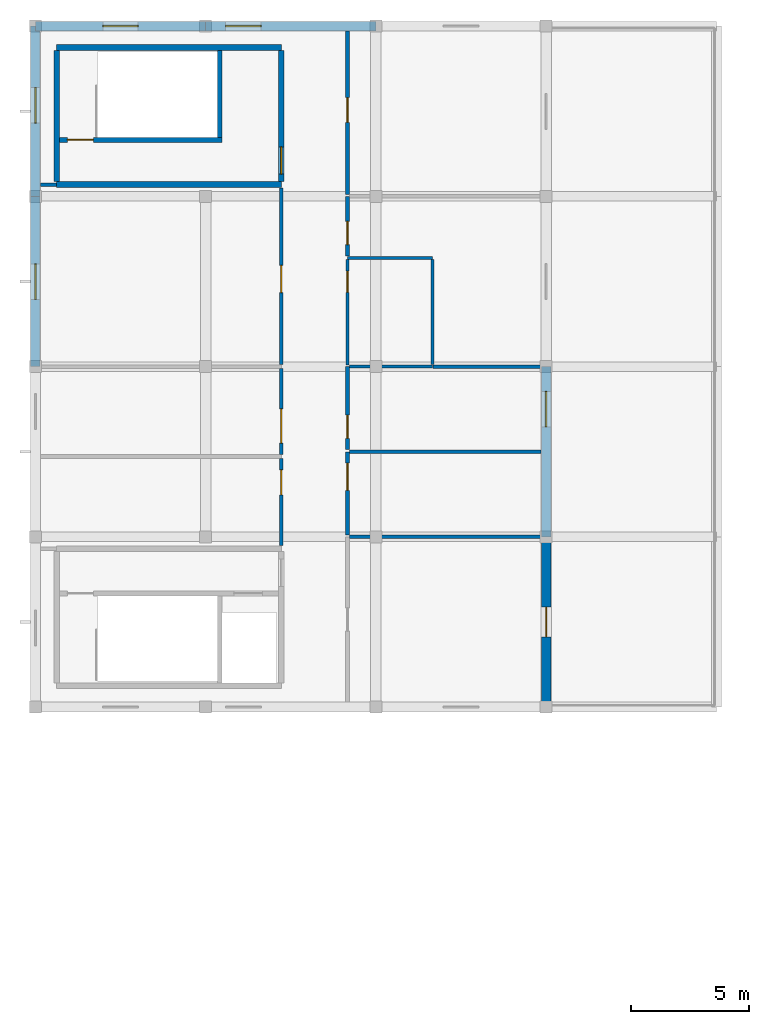
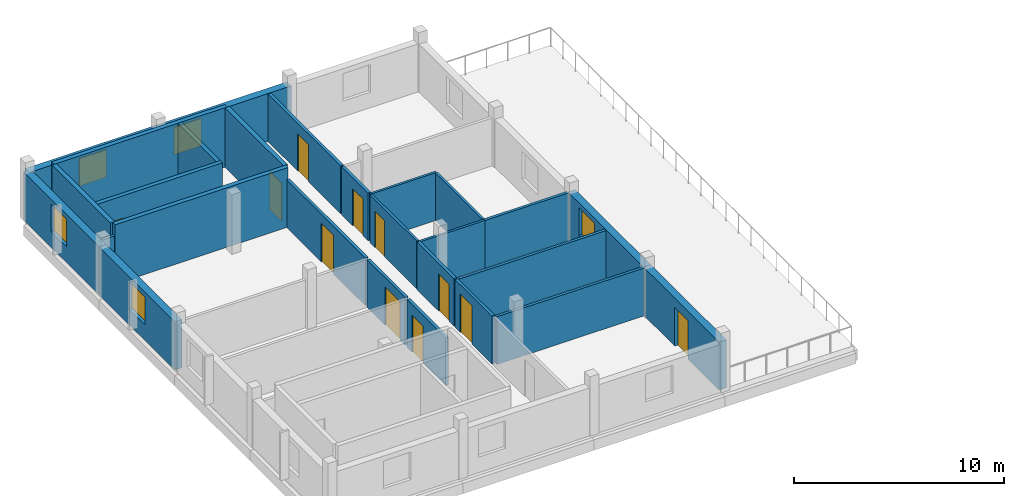
# One storey, part 57 of 66: 27 walls, 11 doors, 5 windows, 16 openings.
"""IFC4 building model written with IfcOpenShell, lengths in metres."""

from ifc_helpers import new_model, si_unit, direction, frame, frame_2d, origin, place, context, subcontext, project, spatial, rectangle, extrude, material, layer, layer_set, type_object, element, fill, save


model = new_model("IFC4")

# Units and contexts
model_context = context("Model", 3, precision=1e-05, world=origin(), true_north=direction((0.0, 1.0)))
body_context = subcontext(model_context, "Body", "Model", "MODEL_VIEW")
ifc_project = project(units=[si_unit("LENGTHUNIT", "METRE"), si_unit("AREAUNIT", "SQUARE_METRE"), si_unit("VOLUMEUNIT", "CUBIC_METRE"), si_unit("PLANEANGLEUNIT", "RADIAN"), si_unit("MASSUNIT", "GRAM", prefix="KILO")], contexts=[model_context])

# Site, building, storey
site_placement = place(None, origin())
site = spatial("IfcSite", under=ifc_project, at=site_placement, CompositionType="ELEMENT")
building_placement = place(site_placement, origin())
building = spatial("IfcBuilding", under=site, at=building_placement, Name="Zornivar Specialist Clinic", CompositionType="ELEMENT")
storey_placement = place(building_placement, frame((0.0, 0.0, 16.0)))
storey = spatial("IfcBuildingStorey", under=building, at=storey_placement, Name="L04", CompositionType="ELEMENT", Elevation=16.0)

# Wall, opening, door
ifc_material_1 = material(Name="Masonry Hygienic Insulated Procedure Wing Wall", Category="masonry")
ifc_layer_1 = layer(ifc_material_1, 0.39990234375)
ifc_layer_set_1 = layer_set([ifc_layer_1], Name="Masonry Hygienic Insulated Procedure Wing Wall")
wall_type_1 = type_object("IfcWallType", Name="EW-PROC-400", PredefinedType="SOLIDWALL", material=ifc_layer_set_1)
wall_1_placement = place(storey_placement, frame((21.60009765625, 79.199951171875, 0.0), z_axis=(0.0, 0.0, 1.0), x_axis=(0.0, 1.0, 0.0)))
wall_1 = element("IfcWall", 1, at=wall_1_placement, inside=storey, type_object=wall_type_1, Name="ew:V5:L04:03", PredefinedType="SOLIDWALL", context=body_context, shape_type="SweptSolid", body=[
    extrude(rectangle(XDim=7.199951171875, YDim=0.39990234375, at=frame_2d((3.60009765625, 0.0))), origin(), (0.0, 0.0, 1.0), 2.7900390625),
])
opening_1_placement = place(wall_1_placement, frame((2.97509765625, 0.0, 0.0)))
opening_1 = element("IfcOpeningElement", 2, at=opening_1_placement, cuts=wall_1, Name="Opening TD-02", PredefinedType="OPENING", context=body_context, shape_type="SweptSolid", body=[
    extrude(rectangle(XDim=1.25, YDim=2.25, at=frame_2d((0.625, 1.125))), frame((0.0, 0.2099609375, 0.0), z_axis=(0.0, -1.0, 0.0), x_axis=(1.0, 0.0, 0.0)), (0.0, 0.0, 1.0), 0.419921875),
])
ifc_material_2 = material(Name="Thermally Broken Glazed Aluminium Door", Category="aluminium")
door_type_1 = type_object("IfcDoorType", Name="TD-TERR-1250x2250", OperationType="NOTDEFINED", PredefinedType="DOOR", material=ifc_material_2)
door_1_placement = place(opening_1_placement, origin())
door_1 = element("IfcDoor", 3, at=door_1_placement, inside=storey, type_object=door_type_1, Name="door:V5:L04:terr:0", OperationType="SINGLE_SWING_LEFT", OverallHeight=2.25, OverallWidth=1.25, PredefinedType="DOOR", context=body_context, shape_type="SweptSolid", body=[
    extrude(rectangle(XDim=1.25, YDim=2.25, at=frame_2d((0.625, 1.125))), frame((0.0, 0.02490234375, 0.0), z_axis=(0.0, -1.0, 0.0), x_axis=(1.0, 0.0, 0.0)), (0.0, 0.0, 1.0), 0.050048828125),
])
fill(opening_1, door_1)

# Wall, opening, window
wall_2_placement = place(storey_placement, frame((21.60009765625, 86.39990234375, 0.0), z_axis=(0.0, 0.0, 1.0), x_axis=(0.0, 1.0, 0.0)))
wall_2 = element("IfcWall", 4, at=wall_2_placement, inside=storey, type_object=wall_type_1, Name="ew:V5:L04:04", PredefinedType="SOLIDWALL", context=body_context, shape_type="SweptSolid", body=[
    extrude(rectangle(XDim=7.2001953125, YDim=0.39990234375, at=frame_2d((3.60009765625, 0.0))), origin(), (0.0, 0.0, 1.0), 2.7900390625),
])
opening_2_placement = place(wall_2_placement, frame((4.64990234375, 0.0, 0.89990234375)))
opening_2 = element("IfcOpeningElement", 5, at=opening_2_placement, cuts=wall_2, Name="Opening W-18", PredefinedType="OPENING", context=body_context, shape_type="SweptSolid", body=[
    extrude(rectangle(XDim=1.5, YDim=1.60009765625, at=frame_2d((0.75, 0.800048828125))), frame((0.0, 0.2099609375, 0.0), z_axis=(0.0, -1.0, 0.0), x_axis=(1.0, 0.0, 0.0)), (0.0, 0.0, 1.0), 0.419921875),
])
ifc_material_3 = material(Name="Triple-Glazed Aluminium-Timber Window Glass", Category="wood")
window_type = type_object("IfcWindowType", Name="WIN-PROC-UPPER-1500x1600", PartitioningType="SINGLE_PANEL", PredefinedType="WINDOW", material=ifc_material_3)
window_1_placement = place(opening_2_placement, origin())
window_1 = element("IfcWindow", 6, at=window_1_placement, inside=storey, type_object=window_type, Name="win:V5:L04:04", OverallHeight=1.60009765625, OverallWidth=1.5, PartitioningType="SINGLE_PANEL", PredefinedType="WINDOW", context=body_context, shape_type="SweptSolid", body=[
    extrude(rectangle(XDim=1.5, YDim=1.60009765625, at=frame_2d((0.75, 0.800048828125))), frame((0.0, 0.030029296875, 0.0), z_axis=(0.0, -1.0, 0.0), x_axis=(1.0, 0.0, 0.0)), (0.0, 0.0, 1.0), 0.06005859375),
])
fill(opening_2, window_1)

wall_3_placement = place(storey_placement, frame((14.39990234375, 108.0, 0.0), z_axis=(0.0, 0.0, 1.0), x_axis=(-1.0, 0.0, 0.0)))
wall_3 = element("IfcWall", 7, at=wall_3_placement, inside=storey, type_object=wall_type_1, Name="ew:V5:L04:08", PredefinedType="SOLIDWALL", context=body_context, shape_type="SweptSolid", body=[
    extrude(rectangle(XDim=7.199951171875, YDim=0.39990234375, at=frame_2d((3.60009765625, 0.0))), origin(), (0.0, 0.0, 1.0), 2.7900390625),
])
opening_3_placement = place(wall_3_placement, frame((4.85009765625, 0.0, 0.89990234375)))
opening_3 = element("IfcOpeningElement", 8, at=opening_3_placement, cuts=wall_3, Name="Opening W-18", PredefinedType="OPENING", context=body_context, shape_type="SweptSolid", body=[
    extrude(rectangle(XDim=1.5, YDim=1.60009765625, at=frame_2d((0.75, 0.800048828125))), frame((0.0, 0.2099609375, 0.0), z_axis=(0.0, -1.0, 0.0), x_axis=(1.0, 0.0, 0.0)), (0.0, 0.0, 1.0), 0.419921875),
])
window_2_placement = place(opening_3_placement, origin())
window_2 = element("IfcWindow", 9, at=window_2_placement, inside=storey, type_object=window_type, Name="win:V5:L04:08", OverallHeight=1.60009765625, OverallWidth=1.5, PartitioningType="SINGLE_PANEL", PredefinedType="WINDOW", context=body_context, shape_type="SweptSolid", body=[
    extrude(rectangle(XDim=1.5, YDim=1.60009765625, at=frame_2d((0.75, 0.800048828125))), frame((0.0, 0.030029296875, 0.0), z_axis=(0.0, -1.0, 0.0), x_axis=(1.0, 0.0, 0.0)), (0.0, 0.0, 1.0), 0.06005859375),
])
fill(opening_3, window_2)

wall_4_placement = place(storey_placement, frame((7.199951171875, 108.0, 0.0), z_axis=(0.0, 0.0, 1.0), x_axis=(-1.0, 0.0, 0.0)))
wall_4 = element("IfcWall", 10, at=wall_4_placement, inside=storey, type_object=wall_type_1, Name="ew:V5:L04:09", PredefinedType="SOLIDWALL", context=body_context, shape_type="SweptSolid", body=[
    extrude(rectangle(XDim=7.199951171875, YDim=0.39990234375, at=frame_2d((3.60009765625, 0.0))), origin(), (0.0, 0.0, 1.0), 2.7900390625),
])
opening_4_placement = place(wall_4_placement, frame((2.85009765625, 0.0, 0.89990234375)))
opening_4 = element("IfcOpeningElement", 11, at=opening_4_placement, cuts=wall_4, Name="Opening W-18", PredefinedType="OPENING", context=body_context, shape_type="SweptSolid", body=[
    extrude(rectangle(XDim=1.5, YDim=1.60009765625, at=frame_2d((0.75, 0.800048828125))), frame((0.0, 0.2099609375, 0.0), z_axis=(0.0, -1.0, 0.0), x_axis=(1.0, 0.0, 0.0)), (0.0, 0.0, 1.0), 0.419921875),
])
window_3_placement = place(opening_4_placement, origin())
window_3 = element("IfcWindow", 12, at=window_3_placement, inside=storey, type_object=window_type, Name="win:V5:L04:09", OverallHeight=1.60009765625, OverallWidth=1.5, PartitioningType="SINGLE_PANEL", PredefinedType="WINDOW", context=body_context, shape_type="SweptSolid", body=[
    extrude(rectangle(XDim=1.5, YDim=1.60009765625, at=frame_2d((0.75, 0.800048828125))), frame((0.0, 0.030029296875, 0.0), z_axis=(0.0, -1.0, 0.0), x_axis=(1.0, 0.0, 0.0)), (0.0, 0.0, 1.0), 0.06005859375),
])
fill(opening_4, window_3)

wall_5_placement = place(storey_placement, frame((0.0, 108.0, 0.0), z_axis=(0.0, 0.0, 1.0), x_axis=(0.0, -1.0, 0.0)))
wall_5 = element("IfcWall", 13, at=wall_5_placement, inside=storey, type_object=wall_type_1, Name="ew:V5:L04:10", PredefinedType="SOLIDWALL", context=body_context, shape_type="SweptSolid", body=[
    extrude(rectangle(XDim=7.199951171875, YDim=0.39990234375, at=frame_2d((3.60009765625, 0.0))), origin(), (0.0, 0.0, 1.0), 2.7900390625),
])
opening_5_placement = place(wall_5_placement, frame((2.60009765625, 0.0, 0.89990234375)))
opening_5 = element("IfcOpeningElement", 14, at=opening_5_placement, cuts=wall_5, Name="Opening W-18", PredefinedType="OPENING", context=body_context, shape_type="SweptSolid", body=[
    extrude(rectangle(XDim=1.5, YDim=1.60009765625, at=frame_2d((0.75, 0.800048828125))), frame((0.0, 0.2099609375, 0.0), z_axis=(0.0, -1.0, 0.0), x_axis=(1.0, 0.0, 0.0)), (0.0, 0.0, 1.0), 0.419921875),
])
window_4_placement = place(opening_5_placement, origin())
window_4 = element("IfcWindow", 15, at=window_4_placement, inside=storey, type_object=window_type, Name="win:V5:L04:10", OverallHeight=1.60009765625, OverallWidth=1.5, PartitioningType="SINGLE_PANEL", PredefinedType="WINDOW", context=body_context, shape_type="SweptSolid", body=[
    extrude(rectangle(XDim=1.5, YDim=1.60009765625, at=frame_2d((0.75, 0.800048828125))), frame((0.0, 0.030029296875, 0.0), z_axis=(0.0, -1.0, 0.0), x_axis=(1.0, 0.0, 0.0)), (0.0, 0.0, 1.0), 0.06005859375),
])
fill(opening_5, window_4)

wall_6_placement = place(storey_placement, frame((0.0, 100.800048828125, 0.0), z_axis=(0.0, 0.0, 1.0), x_axis=(0.0, -1.0, 0.0)))
wall_6 = element("IfcWall", 16, at=wall_6_placement, inside=storey, type_object=wall_type_1, Name="ew:V5:L04:11", PredefinedType="SOLIDWALL", context=body_context, shape_type="SweptSolid", body=[
    extrude(rectangle(XDim=7.199951171875, YDim=0.39990234375, at=frame_2d((3.60009765625, 0.0))), origin(), (0.0, 0.0, 1.0), 2.7900390625),
])
opening_6_placement = place(wall_6_placement, frame((2.85009765625, 0.0, 0.89990234375)))
opening_6 = element("IfcOpeningElement", 17, at=opening_6_placement, cuts=wall_6, Name="Opening W-18", PredefinedType="OPENING", context=body_context, shape_type="SweptSolid", body=[
    extrude(rectangle(XDim=1.5, YDim=1.60009765625, at=frame_2d((0.75, 0.800048828125))), frame((0.0, 0.2099609375, 0.0), z_axis=(0.0, -1.0, 0.0), x_axis=(1.0, 0.0, 0.0)), (0.0, 0.0, 1.0), 0.419921875),
])
window_5_placement = place(opening_6_placement, origin())
window_5 = element("IfcWindow", 18, at=window_5_placement, inside=storey, type_object=window_type, Name="win:V5:L04:11", OverallHeight=1.60009765625, OverallWidth=1.5, PartitioningType="SINGLE_PANEL", PredefinedType="WINDOW", context=body_context, shape_type="SweptSolid", body=[
    extrude(rectangle(XDim=1.5, YDim=1.60009765625, at=frame_2d((0.75, 0.800048828125))), frame((0.0, 0.030029296875, 0.0), z_axis=(0.0, -1.0, 0.0), x_axis=(1.0, 0.0, 0.0)), (0.0, 0.0, 1.0), 0.06005859375),
])
fill(opening_6, window_5)

# Wall, opening, door
ifc_material_4 = material(Name="Gypsum Fire-Rated Double Stud Partition")
ifc_layer_2 = layer(ifc_material_4, 0.159912109375)
ifc_layer_set_2 = layer_set([ifc_layer_2], Name="Gypsum Fire-Rated Double Stud Partition")
wall_type_2 = type_object("IfcWallType", Name="IW-CORR-EI60-160", PredefinedType="PARTITIONING", material=ifc_layer_set_2)
wall_7_placement = place(storey_placement, frame((10.39990234375, 89.7109375, 0.0), z_axis=(0.0, 0.0, 1.0), x_axis=(0.0, -1.0, 0.0)))
wall_7 = element("IfcWall", 19, at=wall_7_placement, inside=storey, type_object=wall_type_2, Name="iw:L04:035", PredefinedType="PARTITIONING", context=body_context, shape_type="SweptSolid", body=[
    extrude(rectangle(XDim=3.676025390625, YDim=0.159912109375, at=frame_2d((1.837890625, 0.0))), origin(), (0.0, 0.0, 1.0), 2.780029296875),
])
opening_7_placement = place(wall_7_placement, frame((0.47998046875, 0.0, 0.0)))
opening_7 = element("IfcOpeningElement", 20, at=opening_7_placement, cuts=wall_7, Name="Opening ID-03", PredefinedType="OPENING", context=body_context, shape_type="SweptSolid", body=[
    extrude(rectangle(XDim=1.050048828125, YDim=2.14990234375, at=frame_2d((0.52490234375, 1.074951171875))), frame((0.0, 0.08984375, 0.0), z_axis=(0.0, -1.0, 0.0), x_axis=(1.0, 0.0, 0.0)), (0.0, 0.0, 1.0), 0.179931640625),
])
ifc_material_5 = material(Name="Solid-Core Hygienic Laminate Timber Door", Category="wood")
door_type_2 = type_object("IfcDoorType", Name="ID-CONS-1050x2150", OperationType="NOTDEFINED", PredefinedType="DOOR", material=ifc_material_5)
door_2_placement = place(opening_7_placement, origin())
door_2 = element("IfcDoor", 21, at=door_2_placement, inside=storey, type_object=door_type_2, Name="door:space:V5:L04:rm:00", OperationType="SINGLE_SWING_RIGHT", OverallHeight=2.14990234375, OverallWidth=1.050048828125, PredefinedType="DOOR", context=body_context, shape_type="SweptSolid", body=[
    extrude(rectangle(XDim=1.050048828125, YDim=2.14990234375, at=frame_2d((0.52490234375, 1.074951171875))), frame((0.0, 0.02490234375, 0.0), z_axis=(0.0, -1.0, 0.0), x_axis=(1.0, 0.0, 0.0)), (0.0, 0.0, 1.0), 0.050048828125),
])
fill(opening_7, door_2)

wall_8_placement = place(storey_placement, frame((10.39990234375, 93.510986328125, 0.0), z_axis=(0.0, 0.0, 1.0), x_axis=(0.0, -1.0, 0.0)))
wall_8 = element("IfcWall", 22, at=wall_8_placement, inside=storey, type_object=wall_type_2, Name="iw:L04:038", PredefinedType="PARTITIONING", context=body_context, shape_type="SweptSolid", body=[
    extrude(rectangle(XDim=3.6220703125, YDim=0.159912109375, at=frame_2d((1.81103515625, 0.0))), origin(), (0.0, 0.0, 1.0), 2.780029296875),
])
opening_8_placement = place(wall_8_placement, frame((1.69189453125, 0.0, 0.0)))
opening_8 = element("IfcOpeningElement", 23, at=opening_8_placement, cuts=wall_8, Name="Opening ID-11", PredefinedType="OPENING", context=body_context, shape_type="SweptSolid", body=[
    extrude(rectangle(XDim=1.449951171875, YDim=2.25, at=frame_2d((0.72509765625, 1.125))), frame((0.0, 0.08984375, 0.0), z_axis=(0.0, -1.0, 0.0), x_axis=(1.0, 0.0, 0.0)), (0.0, 0.0, 1.0), 0.179931640625),
])
ifc_material_6 = material(Name="Solid-Core Hygienic Laminate Timber Door", Category="wood")
door_type_3 = type_object("IfcDoorType", Name="ID-INFUS-1450x2250", OperationType="NOTDEFINED", PredefinedType="DOOR", material=ifc_material_6)
door_3_placement = place(opening_8_placement, origin())
door_3 = element("IfcDoor", 24, at=door_3_placement, inside=storey, type_object=door_type_3, Name="door:space:V5:L04:rm:01", OperationType="DOUBLE_DOOR_SINGLE_SWING", OverallHeight=2.25, OverallWidth=1.449951171875, PredefinedType="DOOR", context=body_context, shape_type="SweptSolid", body=[
    extrude(rectangle(XDim=1.449951171875, YDim=2.25, at=frame_2d((0.72509765625, 1.125))), frame((0.0, 0.02490234375, 0.0), z_axis=(0.0, -1.0, 0.0), x_axis=(1.0, 0.0, 0.0)), (0.0, 0.0, 1.0), 0.050048828125),
])
fill(opening_8, door_3)

wall_9_placement = place(storey_placement, frame((10.39990234375, 101.1650390625, 0.0), z_axis=(0.0, 0.0, 1.0), x_axis=(0.0, -1.0, 0.0)))
wall_9 = element("IfcWall", 25, at=wall_9_placement, inside=storey, type_object=wall_type_2, Name="iw:L04:040", PredefinedType="PARTITIONING", context=body_context, shape_type="SweptSolid", body=[
    extrude(rectangle(XDim=7.47607421875, YDim=0.159912109375, at=frame_2d((3.738037109375, 0.0))), origin(), (0.0, 0.0, 1.0), 2.780029296875),
])
opening_9_placement = place(wall_9_placement, frame((3.280029296875, 0.0, 0.0)))
opening_9 = element("IfcOpeningElement", 26, at=opening_9_placement, cuts=wall_9, Name="Opening ID-06", PredefinedType="OPENING", context=body_context, shape_type="SweptSolid", body=[
    extrude(rectangle(XDim=1.14990234375, YDim=2.25, at=frame_2d((0.574951171875, 1.125))), frame((0.0, 0.08984375, 0.0), z_axis=(0.0, -1.0, 0.0), x_axis=(1.0, 0.0, 0.0)), (0.0, 0.0, 1.0), 0.179931640625),
])
ifc_material_7 = material(Name="Solid-Core Hygienic Laminate Timber Door", Category="wood")
door_type_4 = type_object("IfcDoorType", Name="ID-LAB-1150x2250", OperationType="NOTDEFINED", PredefinedType="DOOR", material=ifc_material_7)
door_4_placement = place(opening_9_placement, origin())
door_4 = element("IfcDoor", 27, at=door_4_placement, inside=storey, type_object=door_type_4, Name="door:space:V5:L04:rm:02", OperationType="SINGLE_SWING_RIGHT", OverallHeight=2.25, OverallWidth=1.14990234375, PredefinedType="DOOR", context=body_context, shape_type="SweptSolid", body=[
    extrude(rectangle(XDim=1.14990234375, YDim=2.25, at=frame_2d((0.574951171875, 1.125))), frame((0.0, 0.02490234375, 0.0), z_axis=(0.0, -1.0, 0.0), x_axis=(1.0, 0.0, 0.0)), (0.0, 0.0, 1.0), 0.050048828125),
])
fill(opening_9, door_4)

wall_10_placement = place(storey_placement, frame((13.199951171875, 86.489013671875, 0.0), z_axis=(0.0, 0.0, 1.0), x_axis=(0.0, 1.0, 0.0)))
wall_10 = element("IfcWall", 28, at=wall_10_placement, inside=storey, type_object=wall_type_2, Name="iw:L04:043", PredefinedType="PARTITIONING", context=body_context, shape_type="SweptSolid", body=[
    extrude(rectangle(XDim=3.510986328125, YDim=0.159912109375, at=frame_2d((1.75537109375, 0.0))), origin(), (0.0, 0.0, 1.0), 2.780029296875),
])
opening_10_placement = place(wall_10_placement, frame((1.881103515625, 0.0, 0.0)))
opening_10 = element("IfcOpeningElement", 29, at=opening_10_placement, cuts=wall_10, Name="Opening ID-06", PredefinedType="OPENING", context=body_context, shape_type="SweptSolid", body=[
    extrude(rectangle(XDim=1.14990234375, YDim=2.25, at=frame_2d((0.574951171875, 1.125))), frame((0.0, 0.08984375, 0.0), z_axis=(0.0, -1.0, 0.0), x_axis=(1.0, 0.0, 0.0)), (0.0, 0.0, 1.0), 0.179931640625),
])
door_5_placement = place(opening_10_placement, origin())
door_5 = element("IfcDoor", 30, at=door_5_placement, inside=storey, type_object=door_type_4, Name="door:space:V5:L04:rm:04", OperationType="SINGLE_SWING_RIGHT", OverallHeight=2.25, OverallWidth=1.14990234375, PredefinedType="DOOR", context=body_context, shape_type="SweptSolid", body=[
    extrude(rectangle(XDim=1.14990234375, YDim=2.25, at=frame_2d((0.574951171875, 1.125))), frame((0.0, 0.02490234375, 0.0), z_axis=(0.0, -1.0, 0.0), x_axis=(1.0, 0.0, 0.0)), (0.0, 0.0, 1.0), 0.050048828125),
])
fill(opening_10, door_5)

wall_11_placement = place(storey_placement, frame((13.199951171875, 90.089111328125, 0.0), z_axis=(0.0, 0.0, 1.0), x_axis=(0.0, 1.0, 0.0)))
wall_11 = element("IfcWall", 31, at=wall_11_placement, inside=storey, type_object=wall_type_2, Name="iw:L04:045", PredefinedType="PARTITIONING", context=body_context, shape_type="SweptSolid", body=[
    extrude(rectangle(XDim=3.510986328125, YDim=0.159912109375, at=frame_2d((1.75537109375, 0.0))), origin(), (0.0, 0.0, 1.0), 2.780029296875),
])
opening_11_placement = place(wall_11_placement, frame((0.47998046875, 0.0, 0.0)))
opening_11 = element("IfcOpeningElement", 32, at=opening_11_placement, cuts=wall_11, Name="Opening ID-09", PredefinedType="OPENING", context=body_context, shape_type="SweptSolid", body=[
    extrude(rectangle(XDim=0.97998046875, YDim=2.14990234375, at=frame_2d((0.489990234375, 1.074951171875))), frame((0.0, 0.08984375, 0.0), z_axis=(0.0, -1.0, 0.0), x_axis=(1.0, 0.0, 0.0)), (0.0, 0.0, 1.0), 0.179931640625),
])
ifc_material_8 = material(Name="Solid-Core Hygienic Laminate Timber Door", Category="wood")
door_type_5 = type_object("IfcDoorType", Name="ID-STAFF-0980x2150", OperationType="NOTDEFINED", PredefinedType="DOOR", material=ifc_material_8)
door_6_placement = place(opening_11_placement, origin())
door_6 = element("IfcDoor", 33, at=door_6_placement, inside=storey, type_object=door_type_5, Name="door:space:V5:L04:rm:05", OperationType="SINGLE_SWING_LEFT", OverallHeight=2.14990234375, OverallWidth=0.97998046875, PredefinedType="DOOR", context=body_context, shape_type="SweptSolid", body=[
    extrude(rectangle(XDim=0.97998046875, YDim=2.14990234375, at=frame_2d((0.489990234375, 1.074951171875))), frame((0.0, 0.02490234375, 0.0), z_axis=(0.0, -1.0, 0.0), x_axis=(1.0, 0.0, 0.0)), (0.0, 0.0, 1.0), 0.050048828125),
])
fill(opening_11, door_6)

wall_12_placement = place(storey_placement, frame((13.199951171875, 98.279052734375, 0.0), z_axis=(0.0, 0.0, 1.0), x_axis=(0.0, 1.0, 0.0)))
wall_12 = element("IfcWall", 34, at=wall_12_placement, inside=storey, type_object=wall_type_2, Name="iw:L04:051", PredefinedType="PARTITIONING", context=body_context, shape_type="SweptSolid", body=[
    extrude(rectangle(XDim=2.52099609375, YDim=0.159912109375, at=frame_2d((1.260498046875, 0.0))), origin(), (0.0, 0.0, 1.0), 2.780029296875),
])
opening_12_placement = place(wall_12_placement, frame((0.47998046875, 0.0, 0.0)))
opening_12 = element("IfcOpeningElement", 35, at=opening_12_placement, cuts=wall_12, Name="Opening ID-09", PredefinedType="OPENING", context=body_context, shape_type="SweptSolid", body=[
    extrude(rectangle(XDim=0.97998046875, YDim=2.14990234375, at=frame_2d((0.489990234375, 1.074951171875))), frame((0.0, 0.08984375, 0.0), z_axis=(0.0, -1.0, 0.0), x_axis=(1.0, 0.0, 0.0)), (0.0, 0.0, 1.0), 0.179931640625),
])
door_7_placement = place(opening_12_placement, origin())
door_7 = element("IfcDoor", 36, at=door_7_placement, inside=storey, type_object=door_type_5, Name="door:space:V5:L04:rm:06b", OperationType="SINGLE_SWING_LEFT", OverallHeight=2.14990234375, OverallWidth=0.97998046875, PredefinedType="DOOR", context=body_context, shape_type="SweptSolid", body=[
    extrude(rectangle(XDim=0.97998046875, YDim=2.14990234375, at=frame_2d((0.489990234375, 1.074951171875))), frame((0.0, 0.02490234375, 0.0), z_axis=(0.0, -1.0, 0.0), x_axis=(1.0, 0.0, 0.0)), (0.0, 0.0, 1.0), 0.050048828125),
])
fill(opening_12, door_7)

wall_13_placement = place(storey_placement, frame((13.199951171875, 100.888916015625, 0.0), z_axis=(0.0, 0.0, 1.0), x_axis=(0.0, 1.0, 0.0)))
wall_13 = element("IfcWall", 37, at=wall_13_placement, inside=storey, type_object=wall_type_2, Name="iw:L04:053", PredefinedType="PARTITIONING", context=body_context, shape_type="SweptSolid", body=[
    extrude(rectangle(XDim=6.89599609375, YDim=0.159912109375, at=frame_2d((3.447998046875, 0.0))), origin(), (0.0, 0.0, 1.0), 2.780029296875),
])
opening_13_placement = place(wall_13_placement, frame((3.0390625, 0.0, 0.0)))
opening_13 = element("IfcOpeningElement", 38, at=opening_13_placement, cuts=wall_13, Name="Opening ID-03", PredefinedType="OPENING", context=body_context, shape_type="SweptSolid", body=[
    extrude(rectangle(XDim=1.050048828125, YDim=2.14990234375, at=frame_2d((0.52490234375, 1.074951171875))), frame((0.0, 0.08984375, 0.0), z_axis=(0.0, -1.0, 0.0), x_axis=(1.0, 0.0, 0.0)), (0.0, 0.0, 1.0), 0.179931640625),
])
door_8_placement = place(opening_13_placement, origin())
door_8 = element("IfcDoor", 39, at=door_8_placement, inside=storey, type_object=door_type_2, Name="door:space:V5:L04:rm:08", OperationType="SINGLE_SWING_RIGHT", OverallHeight=2.14990234375, OverallWidth=1.050048828125, PredefinedType="DOOR", context=body_context, shape_type="SweptSolid", body=[
    extrude(rectangle(XDim=1.050048828125, YDim=2.14990234375, at=frame_2d((0.52490234375, 1.074951171875))), frame((0.0, 0.02490234375, 0.0), z_axis=(0.0, -1.0, 0.0), x_axis=(1.0, 0.0, 0.0)), (0.0, 0.0, 1.0), 0.050048828125),
])
fill(opening_13, door_8)

# Walls
ifc_material_9 = material(Name="Hygienic Lead-Free Procedure Partition")
ifc_layer_3 = layer(ifc_material_9, 0.14990234375)
ifc_layer_set_3 = layer_set([ifc_layer_3], Name="Hygienic Lead-Free Procedure Partition")
wall_type_3 = type_object("IfcWallType", Name="IW-PROC-150", PredefinedType="PARTITIONING", material=ifc_layer_set_3)
wall_14_placement = place(storey_placement, frame((0.215087890625, 101.300048828125, 0.0), z_axis=(0.0, 0.0, 1.0), x_axis=(1.0, 0.0, 0.0)))
element("IfcWall", 40, at=wall_14_placement, inside=storey, type_object=wall_type_3, Name="iw:L04:039", PredefinedType="PARTITIONING", context=body_context, shape_type="SweptSolid", body=[
    extrude(rectangle(XDim=0.684814453125, YDim=0.14990234375, at=frame_2d((0.34228515625, 0.0))), origin(), (0.0, 0.0, 1.0), 2.780029296875),
])
for number, where, z_axis, x_axis, name in (
    (41, (13.2939453125, 86.39990234375, 0.0), (0.0, 0.0, 1.0), (1.0, 0.0, 0.0), "iw:L04:042"),
    (42, (13.2939453125, 90.0, 0.0), (0.0, 0.0, 1.0), (1.0, 0.0, 0.0), "iw:L04:044"),
):
    element("IfcWall", number, at=place(storey_placement, frame(where, z_axis=z_axis, x_axis=x_axis)), inside=storey, type_object=wall_type_3, Name=name, PredefinedType="PARTITIONING", context=body_context, shape_type="SweptSolid", body=[
        extrude(rectangle(XDim=8.091064453125, YDim=0.14990234375, at=frame_2d((4.04541015625, 0.0))), origin(), (0.0, 0.0, 1.0), 2.780029296875),
    ])
wall_15_placement = place(storey_placement, frame((16.81201171875, 93.60009765625, 0.0), z_axis=(0.0, 0.0, 1.0), x_axis=(1.0, 0.0, 0.0)))
element("IfcWall", 43, at=wall_15_placement, inside=storey, type_object=wall_type_3, Name="iw:L04:047", PredefinedType="PARTITIONING", context=body_context, shape_type="SweptSolid", body=[
    extrude(rectangle(XDim=4.572998046875, YDim=0.14990234375, at=frame_2d((2.28662109375, 0.0))), origin(), (0.0, 0.0, 1.0), 2.780029296875),
])
ifc_material_10 = material(Name="Moisture-Resistant Sanitary Partition")
ifc_layer_4 = layer(ifc_material_10, 0.1298828125)
ifc_layer_set_4 = layer_set([ifc_layer_4], Name="Moisture-Resistant Sanitary Partition")
wall_type_4 = type_object("IfcWallType", Name="IW-WET-130", PredefinedType="PARTITIONING", material=ifc_layer_set_4)
wall_16_placement = place(storey_placement, frame((13.2939453125, 93.60009765625, 0.0), z_axis=(0.0, 0.0, 1.0), x_axis=(1.0, 0.0, 0.0)))
element("IfcWall", 44, at=wall_16_placement, inside=storey, type_object=wall_type_4, Name="iw:L04:046", PredefinedType="PARTITIONING", context=body_context, shape_type="SweptSolid", body=[
    extrude(rectangle(XDim=3.506103515625, YDim=0.1298828125, at=frame_2d((1.7529296875, 0.0))), origin(), (0.0, 0.0, 1.0), 2.780029296875),
])
wall_17_placement = place(storey_placement, frame((13.199951171875, 98.199951171875, 0.0), z_axis=(0.0, 0.0, 1.0), x_axis=(1.0, 0.0, 0.0)))
element("IfcWall", 45, at=wall_17_placement, inside=storey, type_object=wall_type_4, Name="iw:L04:048", PredefinedType="PARTITIONING", context=body_context, shape_type="SweptSolid", body=[
    extrude(rectangle(XDim=3.60009765625, YDim=0.1298828125, at=frame_2d((1.800048828125, 0.0))), origin(), (0.0, 0.0, 1.0), 2.780029296875),
])
wall_18_placement = place(storey_placement, frame((16.800048828125, 98.12109375, 0.0), z_axis=(0.0, 0.0, 1.0), x_axis=(0.0, -1.0, 0.0)))
element("IfcWall", 46, at=wall_18_placement, inside=storey, type_object=wall_type_4, Name="iw:L04:049", PredefinedType="PARTITIONING", context=body_context, shape_type="SweptSolid", body=[
    extrude(rectangle(XDim=4.43212890625, YDim=0.1298828125, at=frame_2d((2.216064453125, 0.0))), origin(), (0.0, 0.0, 1.0), 2.780029296875),
])

# Wall, opening, door
wall_19_placement = place(storey_placement, frame((13.199951171875, 93.678955078125, 0.0), z_axis=(0.0, 0.0, 1.0), x_axis=(0.0, 1.0, 0.0)))
wall_19 = element("IfcWall", 47, at=wall_19_placement, inside=storey, type_object=wall_type_4, Name="iw:L04:050", PredefinedType="PARTITIONING", context=body_context, shape_type="SweptSolid", body=[
    extrude(rectangle(XDim=4.442138671875, YDim=0.1298828125, at=frame_2d((2.22119140625, 0.0))), origin(), (0.0, 0.0, 1.0), 2.780029296875),
])
opening_14_placement = place(wall_19_placement, frame((3.06201171875, 0.0, 0.0)))
opening_14 = element("IfcOpeningElement", 48, at=opening_14_placement, cuts=wall_19, Name="Opening ID-08", PredefinedType="OPENING", context=body_context, shape_type="SweptSolid", body=[
    extrude(rectangle(XDim=0.89990234375, YDim=2.10009765625, at=frame_2d((0.449951171875, 1.050048828125))), frame((0.0, 0.074951171875, 0.0), z_axis=(0.0, -1.0, 0.0), x_axis=(1.0, 0.0, 0.0)), (0.0, 0.0, 1.0), 0.14990234375),
])
ifc_material_11 = material(Name="Solid-Core Hygienic Laminate Timber Door", Category="wood")
door_type_6 = type_object("IfcDoorType", Name="ID-WC-STD-0900x2100", OperationType="NOTDEFINED", PredefinedType="DOOR", material=ifc_material_11)
door_9_placement = place(opening_14_placement, origin())
door_9 = element("IfcDoor", 49, at=door_9_placement, inside=storey, type_object=door_type_6, Name="door:space:V5:L04:rm:06", OperationType="SINGLE_SWING_RIGHT", OverallHeight=2.10009765625, OverallWidth=0.89990234375, PredefinedType="DOOR", context=body_context, shape_type="SweptSolid", body=[
    extrude(rectangle(XDim=0.89990234375, YDim=2.10009765625, at=frame_2d((0.449951171875, 1.050048828125))), frame((0.0, 0.02490234375, 0.0), z_axis=(0.0, -1.0, 0.0), x_axis=(1.0, 0.0, 0.0)), (0.0, 0.0, 1.0), 0.050048828125),
])
fill(opening_14, door_9)

# Wall
ifc_material_12 = material(Name="Concrete C35/45", Category="concrete")
ifc_layer_5 = layer(ifc_material_12, 0.239990234375)
ifc_layer_set_5 = layer_set([ifc_layer_5], Name="Concrete C35/45")
wall_type_5 = type_object("IfcWallType", Name="SW-CORE-240", PredefinedType="SHEAR", material=ifc_layer_set_5)
wall_20_placement = place(storey_placement, frame((0.89990234375, 101.300048828125, 0.0), z_axis=(0.0, 0.0, 1.0), x_axis=(1.0, 0.0, 0.0)))
element("IfcWall", 50, at=wall_20_placement, inside=storey, type_object=wall_type_5, Name="sw:C8:L04:w0", PredefinedType="SHEAR", context=body_context, shape_type="SweptSolid", body=[
    extrude(rectangle(XDim=9.5, YDim=0.239990234375, at=frame_2d((4.75, 0.0))), origin(), (0.0, 0.0, 1.0), 3.4599609375),
])

# Wall, opening, door
wall_21_placement = place(storey_placement, frame((10.39990234375, 101.419921875, 0.0), z_axis=(0.0, 0.0, 1.0), x_axis=(0.0, 1.0, 0.0)))
wall_21 = element("IfcWall", 51, at=wall_21_placement, inside=storey, type_object=wall_type_5, Name="sw:C8:L04:w1", PredefinedType="SHEAR", context=body_context, shape_type="SweptSolid", body=[
    extrude(rectangle(XDim=5.56005859375, YDim=0.239990234375, at=frame_2d((2.780029296875, 0.0))), origin(), (0.0, 0.0, 1.0), 3.4599609375),
])
opening_15_placement = place(wall_21_placement, frame((0.320068359375, 0.0, 0.0)))
opening_15 = element("IfcOpeningElement", 52, at=opening_15_placement, cuts=wall_21, Name="Opening FD-03", PredefinedType="OPENING", context=body_context, shape_type="SweptSolid", body=[
    extrude(rectangle(XDim=1.14990234375, YDim=2.199951171875, at=frame_2d((0.574951171875, 1.10009765625))), frame((0.0, 0.1298828125, 0.0), z_axis=(0.0, -1.0, 0.0), x_axis=(1.0, 0.0, 0.0)), (0.0, 0.0, 1.0), 0.260009765625),
])
ifc_material_13 = material(Name="Solid-Core Hygienic Laminate Timber Door", Category="wood")
door_type_7 = type_object("IfcDoorType", Name="FD-LOBBY-UPPER-1150x2200", OperationType="NOTDEFINED", PredefinedType="DOOR", material=ifc_material_13)
door_10_placement = place(opening_15_placement, origin())
door_10 = element("IfcDoor", 53, at=door_10_placement, inside=storey, type_object=door_type_7, Name="door:C8:L04:lob", OperationType="SINGLE_SWING_RIGHT", OverallHeight=2.199951171875, OverallWidth=1.14990234375, PredefinedType="DOOR", context=body_context, shape_type="SweptSolid", body=[
    extrude(rectangle(XDim=1.14990234375, YDim=2.199951171875, at=frame_2d((0.574951171875, 1.10009765625))), frame((0.0, 0.02490234375, 0.0), z_axis=(0.0, -1.0, 0.0), x_axis=(1.0, 0.0, 0.0)), (0.0, 0.0, 1.0), 0.050048828125),
])
fill(opening_15, door_10)

# Walls
wall_22_placement = place(storey_placement, frame((10.39990234375, 107.10009765625, 0.0), z_axis=(0.0, 0.0, 1.0), x_axis=(-1.0, 0.0, 0.0)))
element("IfcWall", 54, at=wall_22_placement, inside=storey, type_object=wall_type_5, Name="sw:C8:L04:w2", PredefinedType="SHEAR", context=body_context, shape_type="SweptSolid", body=[
    extrude(rectangle(XDim=9.5, YDim=0.239990234375, at=frame_2d((4.75, 0.0))), origin(), (0.0, 0.0, 1.0), 3.4599609375),
])
wall_23_placement = place(storey_placement, frame((0.89990234375, 106.97998046875, 0.0), z_axis=(0.0, 0.0, 1.0), x_axis=(0.0, -1.0, 0.0)))
element("IfcWall", 55, at=wall_23_placement, inside=storey, type_object=wall_type_5, Name="sw:C8:L04:w3", PredefinedType="SHEAR", context=body_context, shape_type="SweptSolid", body=[
    extrude(rectangle(XDim=5.56005859375, YDim=0.239990234375, at=frame_2d((2.780029296875, 0.0))), origin(), (0.0, 0.0, 1.0), 3.4599609375),
])
ifc_material_14 = material(Name="Concrete C30/37", Category="concrete")
ifc_layer_6 = layer(ifc_material_14, 0.199951171875)
ifc_layer_set_6 = layer_set([ifc_layer_6], Name="Concrete C30/37")
wall_type_6 = type_object("IfcWallType", Name="SW-LIFT-200", PredefinedType="SHEAR", material=ifc_layer_set_6)
wall_24_placement = place(storey_placement, frame((7.800048828125, 103.300048828125, 0.0), z_axis=(0.0, 0.0, 1.0), x_axis=(0.0, 1.0, 0.0)))
element("IfcWall", 56, at=wall_24_placement, inside=storey, type_object=wall_type_6, Name="sw:C8:L04:sdiv", PredefinedType="SHEAR", context=body_context, shape_type="SweptSolid", body=[
    extrude(rectangle(XDim=3.679931640625, YDim=0.199951171875, at=frame_2d((1.83984375, 0.0))), origin(), (0.0, 0.0, 1.0), 3.4599609375),
])

# Wall, opening, door
ifc_material_15 = material(Name="Concrete C30/37", Category="concrete")
ifc_layer_7 = layer(ifc_material_15, 0.219970703125)
ifc_layer_set_7 = layer_set([ifc_layer_7], Name="Concrete C30/37")
wall_type_7 = type_object("IfcWallType", Name="SW-SHAFT-220", PredefinedType="SHEAR", material=ifc_layer_set_7)
wall_25_placement = place(storey_placement, frame((1.02001953125, 103.18994140625, 0.0), z_axis=(0.0, 0.0, 1.0), x_axis=(1.0, 0.0, 0.0)))
wall_25 = element("IfcWall", 57, at=wall_25_placement, inside=storey, type_object=wall_type_7, Name="sw:C8:L04:stwall", PredefinedType="SHEAR", context=body_context, shape_type="SweptSolid", body=[
    extrude(rectangle(XDim=6.8798828125, YDim=0.219970703125, at=frame_2d((3.43994140625, 0.0))), origin(), (0.0, 0.0, 1.0), 3.4599609375),
])
opening_16_placement = place(wall_25_placement, frame((0.330078125, 0.0, 0.0)))
opening_16 = element("IfcOpeningElement", 58, at=opening_16_placement, cuts=wall_25, Name="Opening FD-02", PredefinedType="OPENING", context=body_context, shape_type="SweptSolid", body=[
    extrude(rectangle(XDim=1.10009765625, YDim=2.14990234375, at=frame_2d((0.550048828125, 1.074951171875))), frame((0.0, 0.119873046875, 0.0), z_axis=(0.0, -1.0, 0.0), x_axis=(1.0, 0.0, 0.0)), (0.0, 0.0, 1.0), 0.239990234375),
])
ifc_material_16 = material(Name="Solid-Core Hygienic Laminate Timber Door", Category="wood")
door_type_8 = type_object("IfcDoorType", Name="FD-STAIR-1100x2150", OperationType="NOTDEFINED", PredefinedType="DOOR", material=ifc_material_16)
door_11_placement = place(opening_16_placement, origin())
door_11 = element("IfcDoor", 59, at=door_11_placement, inside=storey, type_object=door_type_8, Name="door:C8:L04:stair", OperationType="SINGLE_SWING_LEFT", OverallHeight=2.14990234375, OverallWidth=1.10009765625, PredefinedType="DOOR", context=body_context, shape_type="SweptSolid", body=[
    extrude(rectangle(XDim=1.10009765625, YDim=2.14990234375, at=frame_2d((0.550048828125, 1.074951171875))), frame((0.0, 0.02490234375, 0.0), z_axis=(0.0, -1.0, 0.0), x_axis=(1.0, 0.0, 0.0)), (0.0, 0.0, 1.0), 0.050048828125),
])
fill(opening_16, door_11)

save(model, "model.ifc")
